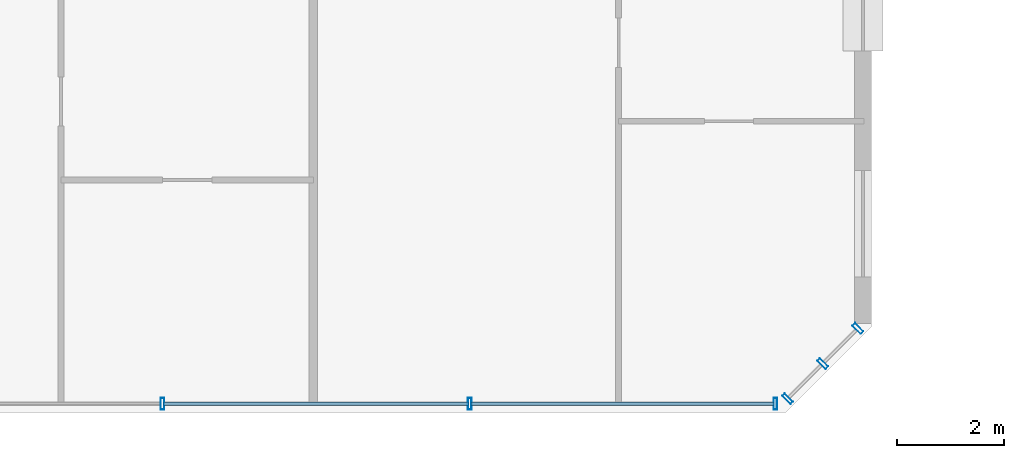
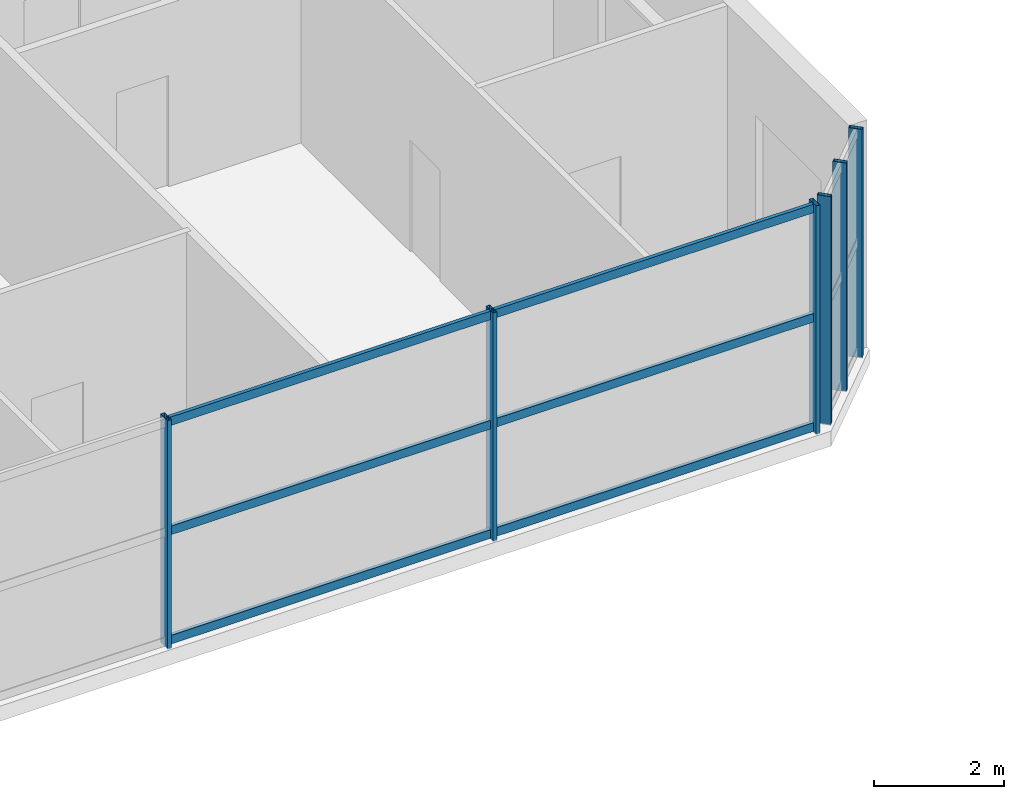
# One storey, part 6 of 19: 12 members, 2 elements without a shape of their own.
"""IFC4 building model written with IfcOpenShell, lengths in metres."""

from ifc_helpers import new_model, si_unit, direction, frame, origin, origin_2d, place, context, subcontext, project, spatial, hollow_rectangle, extrude, source, transform, mapped, material, material_profile, profile_set, type_object, element, aggregate, save


model = new_model("IFC4")

# Units and contexts
model_context = context("Model", 3, precision=1e-05, world=origin(), true_north=direction((0.0, 1.0)))
body_context = subcontext(model_context, "Body", "Model", "MODEL_VIEW")
ifc_project = project(units=[si_unit("LENGTHUNIT", "METRE"), si_unit("AREAUNIT", "SQUARE_METRE"), si_unit("VOLUMEUNIT", "CUBIC_METRE"), si_unit("PLANEANGLEUNIT", "RADIAN"), si_unit("MASSUNIT", "GRAM", prefix="KILO")], contexts=[model_context])

# Site, building, storey
site_placement = place(None, origin())
site = spatial("IfcSite", under=ifc_project, at=site_placement, CompositionType="ELEMENT")
building_placement = place(site_placement, origin())
building = spatial("IfcBuilding", under=site, at=building_placement, Name="Tlacorven Tower", CompositionType="ELEMENT")
storey_placement = place(building_placement, frame((0.0, 0.0, 76.5)))
storey = spatial("IfcBuildingStorey", under=building, at=storey_placement, Name="L19", CompositionType="ELEMENT", Elevation=76.5)

# Curtain wall, members
ifc_material_1 = material(Name="Dark solar low-E double glazing in aluminium frame", Category="aluminium")
curtain_wall_type = type_object("IfcCurtainWallType", Name="CW-COM-AMENITY", PredefinedType="USERDEFINED", material=ifc_material_1)
curtain_wall_1_placement = place(storey_placement, origin())
curtain_wall_1 = element("IfcCurtainWall", 1, at=curtain_wall_1_placement, inside=storey, type_object=curtain_wall_type, Name="L19 CW-COM-AMENITY Curtain Wall 103", ObjectType="UNITISED CURTAIN WALL", PredefinedType="USERDEFINED")
ifc_material_2 = material(Name="Aluminium 6063-T6 anodised", Category="aluminium")
ifc_material_profile_1 = material_profile(ifc_material_2, hollow_rectangle(XDim=0.070068359375, YDim=0.219970703125, WallThickness=0.0048828125, at=origin_2d()), Name="ALU MULLION 70X220")
ifc_profile_set_1 = profile_set([ifc_material_profile_1], Name="Aluminium 6063-T6 anodised")
member_type_1 = type_object("IfcMemberType", Name="CWM-01", PredefinedType="MULLION", material=ifc_profile_set_1)
shared_shape_1 = source(origin(), body_context, "Body", "SweptSolid", [
    extrude(hollow_rectangle(XDim=0.070068359375, YDim=0.219970703125, WallThickness=0.0048828125, at=origin_2d()), origin(), (0.0, 0.0, 1.0), 4.280029296875),
])
member_1_placement = place(storey_placement, frame((52.14453125, 3.370849609375, -0.02001953125), z_axis=(0.0, 0.0, 1.0), x_axis=(-0.707106781187, -0.707106781187, 0.0)))
member_1 = element("IfcMember", 2, at=member_1_placement, type_object=member_type_1, Name="CW-L19-103 Mullion 1", PredefinedType="MULLION", context=body_context, shape_type="MappedRepresentation", body=[
    mapped(shared_shape_1, transform((0.0, 0.0, 0.0), scale=1.0)),
])
member_2_placement = place(storey_placement, frame((51.48681640625, 2.713134765625, -0.02001953125), z_axis=(0.0, 0.0, 1.0), x_axis=(-0.707106781187, -0.707106781187, 0.0)))
member_2 = element("IfcMember", 3, at=member_2_placement, type_object=member_type_1, Name="CW-L19-103 Mullion 2", PredefinedType="MULLION", context=body_context, shape_type="MappedRepresentation", body=[
    mapped(shared_shape_1, transform((0.0, 0.0, 0.0), scale=1.0)),
])
member_3_placement = place(storey_placement, frame((50.8291015625, 2.055419921875, -0.02001953125), z_axis=(0.0, 0.0, 1.0), x_axis=(-0.707106781187, -0.707106781187, 0.0)))
member_3 = element("IfcMember", 4, at=member_3_placement, type_object=member_type_1, Name="CW-L19-103 Mullion 3", PredefinedType="MULLION", context=body_context, shape_type="MappedRepresentation", body=[
    mapped(shared_shape_1, transform((0.0, 0.0, 0.0), scale=1.0)),
])
aggregate(curtain_wall_1, [member_1, member_2, member_3])

curtain_wall_2_placement = place(storey_placement, origin())
curtain_wall_2 = element("IfcCurtainWall", 5, at=curtain_wall_2_placement, inside=storey, type_object=curtain_wall_type, Name="L19 CW-COM-AMENITY Curtain Wall 104", ObjectType="UNITISED CURTAIN WALL", PredefinedType="USERDEFINED")
member_4_placement = place(storey_placement, frame((50.5986328125, 1.9599609375, -0.02001953125), z_axis=(0.0, 0.0, 1.0), x_axis=(-1.0, 0.0, 0.0)))
member_4 = element("IfcMember", 6, at=member_4_placement, type_object=member_type_1, Name="CW-L19-104 Mullion 1", PredefinedType="MULLION", context=body_context, shape_type="MappedRepresentation", body=[
    mapped(shared_shape_1, transform((0.0, 0.0, 0.0), scale=1.0)),
])
member_5_placement = place(storey_placement, frame((44.8779296875, 1.9599609375, -0.02001953125), z_axis=(0.0, 0.0, 1.0), x_axis=(-1.0, 0.0, 0.0)))
member_5 = element("IfcMember", 7, at=member_5_placement, type_object=member_type_1, Name="CW-L19-104 Mullion 2", PredefinedType="MULLION", context=body_context, shape_type="MappedRepresentation", body=[
    mapped(shared_shape_1, transform((0.0, 0.0, 0.0), scale=1.0)),
])
member_6_placement = place(storey_placement, frame((39.1220703125, 1.9599609375, -0.02001953125), z_axis=(0.0, 0.0, 1.0), x_axis=(-1.0, 0.0, 0.0)))
member_6 = element("IfcMember", 8, at=member_6_placement, type_object=member_type_1, Name="CW-L19-104 Mullion 3", PredefinedType="MULLION", context=body_context, shape_type="MappedRepresentation", body=[
    mapped(shared_shape_1, transform((0.0, 0.0, 0.0), scale=1.0)),
])
ifc_material_profile_2 = material_profile(ifc_material_2, hollow_rectangle(XDim=0.06494140625, YDim=0.159912109375, WallThickness=0.00390625, at=origin_2d()), Name="ALU TRANSOM 65X160")
ifc_profile_set_2 = profile_set([ifc_material_profile_2], Name="Aluminium 6063-T6 anodised")
member_type_2 = type_object("IfcMemberType", Name="CWT-01", PredefinedType="USERDEFINED", material=ifc_profile_set_2)
shared_shape_2 = source(origin(), body_context, "Body", "SweptSolid", [
    extrude(hollow_rectangle(XDim=0.06494140625, YDim=0.159912109375, WallThickness=0.00390625, at=origin_2d()), origin(), (0.0, 0.0, 1.0), 5.6748046875),
])
member_7_placement = place(storey_placement, frame((50.57568359375, 1.9599609375, 0.080078125), z_axis=(-1.0, 0.0, 0.0), x_axis=(0.0, -1.0, 0.0)))
member_7 = element("IfcMember", 9, at=member_7_placement, type_object=member_type_2, Name="CW-L19-104 Transom 1", ObjectType="TRANSOM", PredefinedType="USERDEFINED", context=body_context, shape_type="MappedRepresentation", body=[
    mapped(shared_shape_2, transform((0.0, 0.0, 0.0), scale=1.0)),
])
member_8_placement = place(storey_placement, frame((50.57568359375, 1.9599609375, 2.125), z_axis=(-1.0, 0.0, 0.0), x_axis=(0.0, -1.0, 0.0)))
member_8 = element("IfcMember", 10, at=member_8_placement, type_object=member_type_2, Name="CW-L19-104 Transom 2", ObjectType="TRANSOM", PredefinedType="USERDEFINED", context=body_context, shape_type="MappedRepresentation", body=[
    mapped(shared_shape_2, transform((0.0, 0.0, 0.0), scale=1.0)),
])
member_9_placement = place(storey_placement, frame((50.57568359375, 1.9599609375, 4.169921875), z_axis=(-1.0, 0.0, 0.0), x_axis=(0.0, -1.0, 0.0)))
member_9 = element("IfcMember", 11, at=member_9_placement, type_object=member_type_2, Name="CW-L19-104 Transom 3", ObjectType="TRANSOM", PredefinedType="USERDEFINED", context=body_context, shape_type="MappedRepresentation", body=[
    mapped(shared_shape_2, transform((0.0, 0.0, 0.0), scale=1.0)),
])
shared_shape_3 = source(origin(), body_context, "Body", "SweptSolid", [
    extrude(hollow_rectangle(XDim=0.06494140625, YDim=0.159912109375, WallThickness=0.00390625, at=origin_2d()), origin(), (0.0, 0.0, 1.0), 5.7099609375),
])
member_10_placement = place(storey_placement, frame((44.85498046875, 1.9599609375, 0.080078125), z_axis=(-1.0, 0.0, 0.0), x_axis=(0.0, -1.0, 0.0)))
member_10 = element("IfcMember", 12, at=member_10_placement, type_object=member_type_2, Name="CW-L19-104 Transom 4", ObjectType="TRANSOM", PredefinedType="USERDEFINED", context=body_context, shape_type="MappedRepresentation", body=[
    mapped(shared_shape_3, transform((0.0, 0.0, 0.0), scale=1.0)),
])
member_11_placement = place(storey_placement, frame((44.85498046875, 1.9599609375, 2.125), z_axis=(-1.0, 0.0, 0.0), x_axis=(0.0, -1.0, 0.0)))
member_11 = element("IfcMember", 13, at=member_11_placement, type_object=member_type_2, Name="CW-L19-104 Transom 5", ObjectType="TRANSOM", PredefinedType="USERDEFINED", context=body_context, shape_type="MappedRepresentation", body=[
    mapped(shared_shape_3, transform((0.0, 0.0, 0.0), scale=1.0)),
])
member_12_placement = place(storey_placement, frame((44.85498046875, 1.9599609375, 4.169921875), z_axis=(-1.0, 0.0, 0.0), x_axis=(0.0, -1.0, 0.0)))
member_12 = element("IfcMember", 14, at=member_12_placement, type_object=member_type_2, Name="CW-L19-104 Transom 6", ObjectType="TRANSOM", PredefinedType="USERDEFINED", context=body_context, shape_type="MappedRepresentation", body=[
    mapped(shared_shape_3, transform((0.0, 0.0, 0.0), scale=1.0)),
])
aggregate(curtain_wall_2, [member_4, member_5, member_6, member_7, member_8, member_9, member_10, member_11, member_12])

save(model, "model.ifc")
